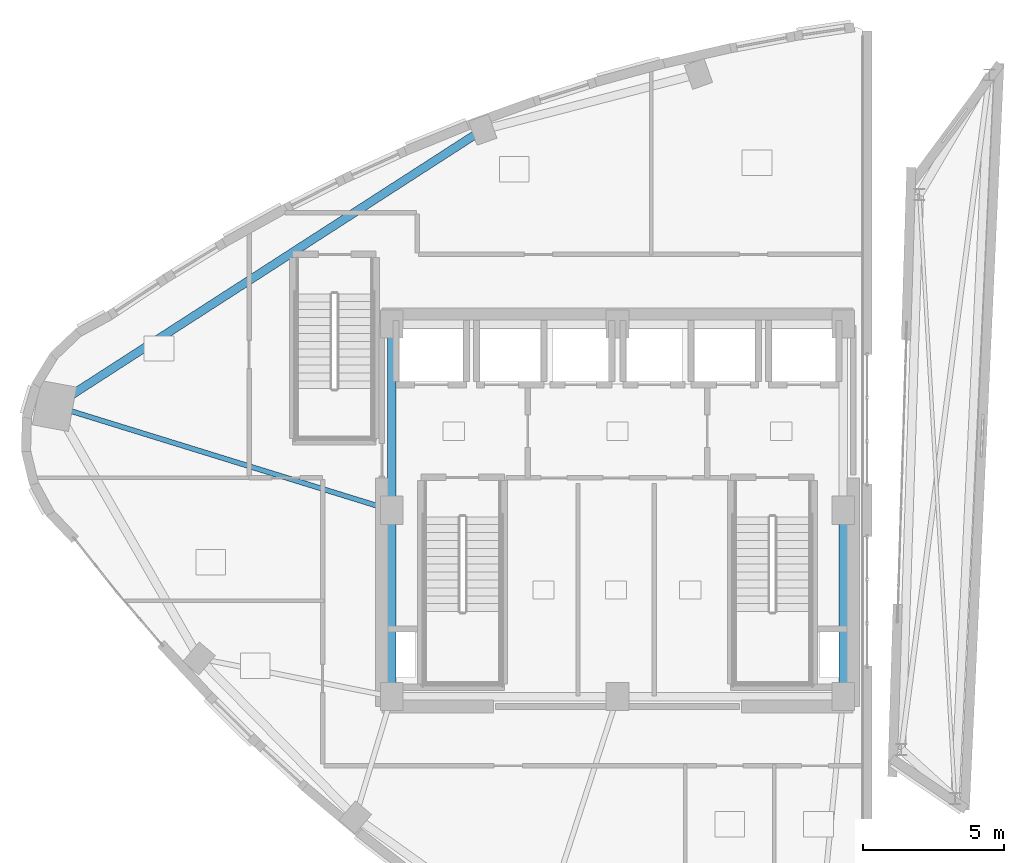
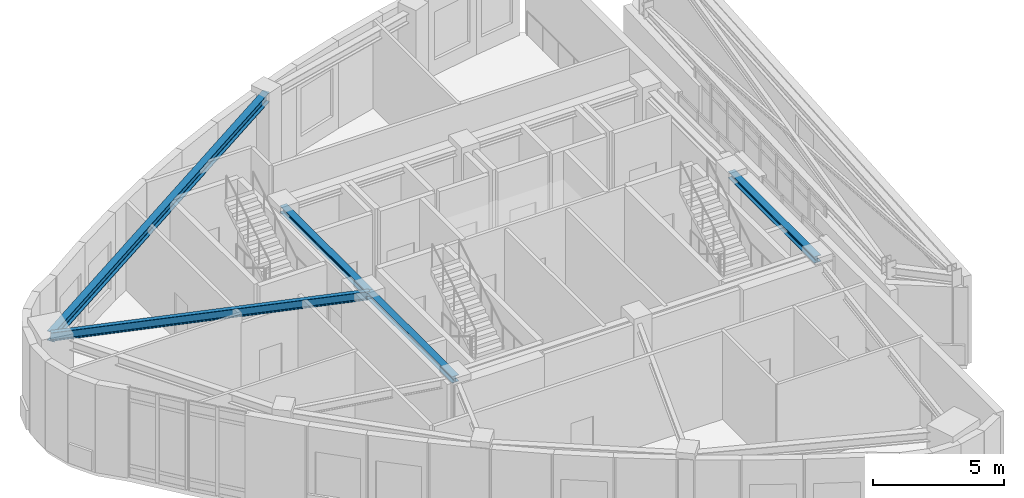
# One storey, part 6 of 19: 5 beams.
"""IFC4 building model written with IfcOpenShell, lengths in metres."""

from ifc_helpers import new_model, si_unit, direction, frame, origin, origin_2d, place, context, subcontext, project, spatial, i_section, extrude, material, material_profile, profile_set, type_object, element, save


model = new_model("IFC4")

# Units and contexts
model_context = context("Model", 3, precision=1e-05, world=origin(), true_north=direction((0.0, 1.0)))
body_context = subcontext(model_context, "Body", "Model", "MODEL_VIEW")
ifc_project = project(units=[si_unit("LENGTHUNIT", "METRE"), si_unit("AREAUNIT", "SQUARE_METRE"), si_unit("VOLUMEUNIT", "CUBIC_METRE"), si_unit("PLANEANGLEUNIT", "RADIAN"), si_unit("MASSUNIT", "GRAM", prefix="KILO")], contexts=[model_context])

# Site, building, storey
site_placement = place(None, origin())
site = spatial("IfcSite", under=ifc_project, at=site_placement, CompositionType="ELEMENT")
building_placement = place(site_placement, origin())
building = spatial("IfcBuilding", under=site, at=building_placement, Name="Ndelora Gate Hotel", CompositionType="ELEMENT")
storey_placement = place(building_placement, frame((0.0, 0.0, 299.199951171875)))
storey = spatial("IfcBuildingStorey", under=building, at=storey_placement, Name="L74", CompositionType="ELEMENT", Elevation=299.199951171875)

# Beams
ifc_material = material(Name="Steel S355", Category="steel")
ifc_material_profile_1 = material_profile(ifc_material, i_section(OverallWidth=0.300048828125, OverallDepth=0.300048828125, WebThickness=0.010986328125, FlangeThickness=0.01904296875, FilletRadius=0.027099609375, at=origin_2d()), Name="HEB 300")
ifc_profile_set_1 = profile_set([ifc_material_profile_1], Name="Steel S355")
beam_type_1 = type_object("IfcBeamType", Name="BM-CORE-300", PredefinedType="BEAM", material=ifc_profile_set_1)
for number, where, z_axis, x_axis, name in (
    (1, (-8.0, -6.60009765625, 3.969970703125), (0.0, 1.0, 0.0), (-1.0, 0.0, 0.0), "L74 Core Tie Girder CC1-CC8"),
    (2, (-8.0, 0.0, 3.969970703125), (0.0, 1.0, 0.0), (-1.0, 0.0, 0.0), "L74 Core Tie Girder CC8-CC7"),
    (3, (8.0, -6.60009765625, 3.969970703125), (0.0, 1.0, 0.0), (-1.0, 0.0, 0.0), "L74 Core Tie Girder CC3-CC4"),
):
    element("IfcBeam", number, at=place(storey_placement, frame(where, z_axis=z_axis, x_axis=x_axis)), inside=storey, type_object=beam_type_1, Name=name, PredefinedType="BEAM", context=body_context, shape_type="SweptSolid", body=[
        extrude(i_section(OverallWidth=0.300048828125, OverallDepth=0.300048828125, WebThickness=0.010986328125, FlangeThickness=0.01904296875, FilletRadius=0.027099609375, at=origin_2d()), origin(), (0.0, 0.0, 1.0), 6.60009765625),
    ])
ifc_material_profile_2 = material_profile(ifc_material, i_section(OverallWidth=0.179931640625, OverallDepth=0.39990234375, WebThickness=0.008544921875, FlangeThickness=0.013427734375, FilletRadius=0.02099609375, at=origin_2d()), Name="IPE 400")
ifc_profile_set_2 = profile_set([ifc_material_profile_2], Name="Steel S355")
beam_type_2 = type_object("IfcBeamType", Name="BM-RAD-400", PredefinedType="BEAM", material=ifc_profile_set_2)
beam_1_placement = place(storey_placement, frame((-8.0, 0.0, 3.920166015625), z_axis=(-0.955314894525, 0.295590007101, 0.0), x_axis=(-0.295590007101, -0.955314894525, 0.0)))
element("IfcBeam", 4, at=beam_1_placement, inside=storey, type_object=beam_type_2, Name="L74 structural beam FB-5", PredefinedType="BEAM", context=body_context, shape_type="SweptSolid", body=[
    extrude(i_section(OverallWidth=0.179931640625, OverallDepth=0.39990234375, WebThickness=0.008544921875, FlangeThickness=0.013427734375, FilletRadius=0.02099609375, at=origin_2d()), origin(), (0.0, 0.0, 1.0), 12.509033203125),
])
ifc_material_profile_3 = material_profile(ifc_material, i_section(OverallWidth=0.300048828125, OverallDepth=0.449951171875, WebThickness=0.013916015625, FlangeThickness=0.02587890625, FilletRadius=0.027099609375, at=origin_2d()), Name="HEB 450")
ifc_profile_set_3 = profile_set([ifc_material_profile_3], Name="Steel S355")
beam_type_3 = type_object("IfcBeamType", Name="BM-RING-450", PredefinedType="SPANDREL", material=ifc_profile_set_3)
beam_2_placement = place(storey_placement, frame((-4.7744140625, 13.482666015625, 3.89501953125), z_axis=(-0.840435702398, -0.541911275151, 0.0), x_axis=(0.541911275151, -0.840435702398, 0.0)))
element("IfcBeam", 5, at=beam_2_placement, inside=storey, type_object=beam_type_3, Name="L74 structural beam RB-5", PredefinedType="SPANDREL", context=body_context, shape_type="SweptSolid", body=[
    extrude(i_section(OverallWidth=0.300048828125, OverallDepth=0.449951171875, WebThickness=0.013916015625, FlangeThickness=0.02587890625, FilletRadius=0.027099609375, at=origin_2d()), origin(), (0.0, 0.0, 1.0), 18.056640625),
])

save(model, "model.ifc")
